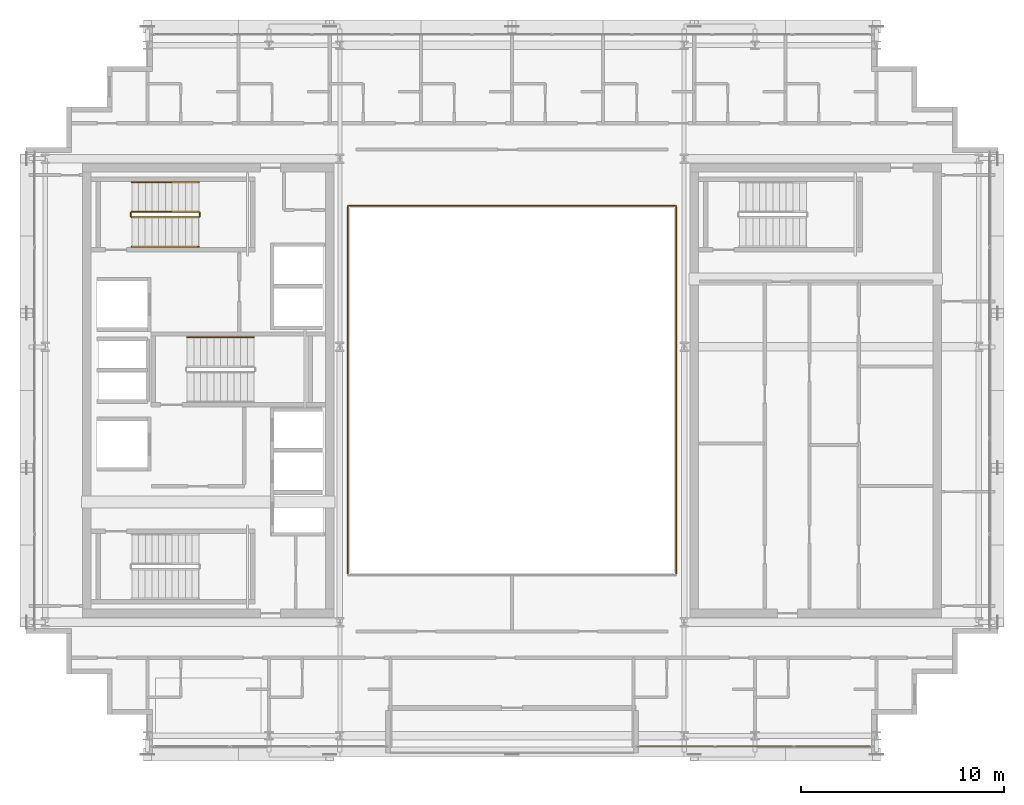
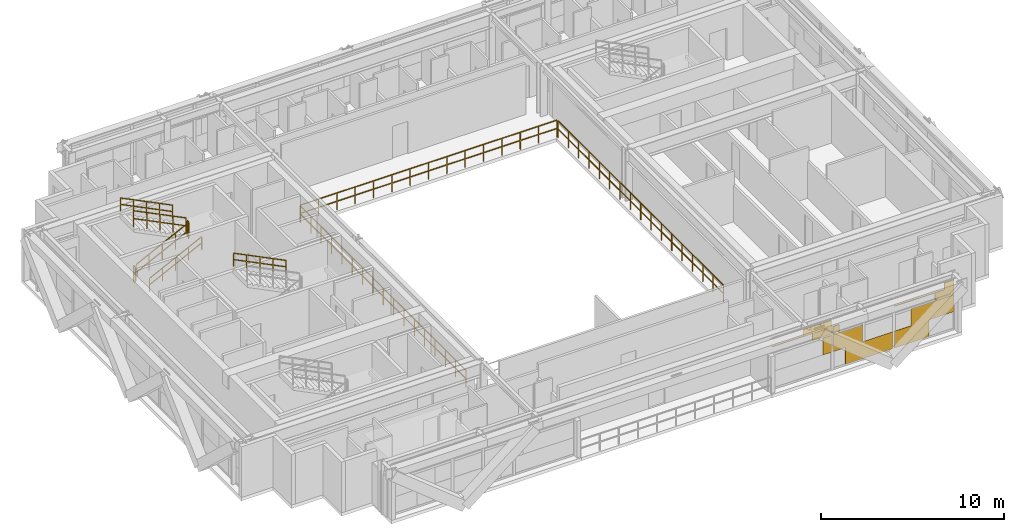
# One storey, part 26 of 28: 10 railings, 1 covering.
"""IFC4 building model written with IfcOpenShell, lengths in metres."""

import ifcopenshell
import ifcopenshell.guid

model = None  # the IFC model being written
_history = None  # IfcOwnerHistory: only IFC2X3 demands one
_inside = {}  # id of a spatial element -> (the spatial element, [elements in it])
_under = {}  # id of a project, library or spatial element -> (it, [spatial elements below it])
_declared = {}  # id of a project -> (the project, [libraries it declares])
_typed = {}  # id of a type object -> (the type object, [elements of that type])
_made_of = {}  # id of a material, layer set ... -> (it, [elements and type objects made of it])


def new_model(schema):
    """Start an empty IFC model of exactly this schema.

    Asked for "IFC4X3", IfcOpenShell would pick the latest addendum, in which some entities
    have other attributes; the version numbers below select the first issue.
    IFC2X3 requires an IfcOwnerHistory on every rooted entity: one is made here for all.
    """
    global model, _history
    if schema == "IFC4X3":
        model = ifcopenshell.file(schema_version=(4, 3, 0, 0))
    else:
        model = ifcopenshell.file(schema=schema)
    _inside.clear()
    _under.clear()
    _declared.clear()
    _typed.clear()
    _made_of.clear()
    _history = None
    if model.schema == "IFC2X3":
        org = make("IfcOrganization", Name="unknown")
        user = make(
            "IfcPersonAndOrganization",
            ThePerson=make("IfcPerson", FamilyName="unknown"),
            TheOrganization=org,
        )
        app = make(
            "IfcApplication",
            ApplicationDeveloper=org,
            Version="unknown",
            ApplicationFullName="unknown",
            ApplicationIdentifier="unknown",
        )
        _history = make(
            "IfcOwnerHistory",
            OwningUser=user,
            OwningApplication=app,
            ChangeAction="ADDED",
            CreationDate=0,
        )
    return model


def make(cls, **values):
    """One entity of the class cls with the attributes given. An attribute that is None is left unset."""
    return model.create_entity(
        cls, **{name: value for name, value in values.items() if value is not None}
    )


def rooted(cls, **values):
    """An entity with a GlobalId (a new one), such as an element, a storey or a relation."""
    return make(cls, GlobalId=ifcopenshell.guid.new(), OwnerHistory=_history, **values)


def si_unit(unit_type, name, prefix=None):
    """IfcSIUnit, for example si_unit("LENGTHUNIT", "METRE", prefix="MILLI")."""
    return make("IfcSIUnit", UnitType=unit_type, Prefix=prefix, Name=name)


def assignment(units):
    """IfcUnitAssignment: the units of a project."""
    return None if units is None else make("IfcUnitAssignment", Units=units)


def point(xyz):
    """IfcCartesianPoint."""
    return None if xyz is None else make("IfcCartesianPoint", Coordinates=xyz)


def direction(xyz):
    """IfcDirection."""
    return None if xyz is None else make("IfcDirection", DirectionRatios=xyz)


def frame(location, z_axis=None, x_axis=None):
    """IfcAxis2Placement3D, a coordinate frame: its origin and axes. An axis left out is left unset."""
    return make(
        "IfcAxis2Placement3D",
        Location=point(location),
        Axis=direction(z_axis),
        RefDirection=direction(x_axis),
    )


def frame_2d(location, x_axis=None):
    """IfcAxis2Placement2D, a coordinate frame in the plane: its origin and x axis."""
    return make(
        "IfcAxis2Placement2D", Location=point(location), RefDirection=direction(x_axis)
    )


def origin():
    """The frame at (0, 0, 0) with its axes left unset."""
    return frame((0.0, 0.0, 0.0))


def origin_2d():
    """The frame at (0, 0) in the plane with its x axis left unset."""
    return frame_2d((0.0, 0.0))


def place(relative_to, where):
    """IfcLocalPlacement: puts the frame where relative to a parent placement (None: the world)."""
    return make(
        "IfcLocalPlacement", PlacementRelTo=relative_to, RelativePlacement=where
    )


def context(
    kind, dimensions, precision=None, world=None, true_north=None, identifier=None
):
    """IfcGeometricRepresentationContext, for example the 3D "Model" context."""
    return make(
        "IfcGeometricRepresentationContext",
        ContextIdentifier=identifier,
        ContextType=kind,
        CoordinateSpaceDimension=dimensions,
        Precision=precision,
        WorldCoordinateSystem=world,
        TrueNorth=true_north,
    )


def subcontext(parent, identifier, kind, view, scale=None):
    """IfcGeometricRepresentationSubContext, for example "Body" below "Model"."""
    return make(
        "IfcGeometricRepresentationSubContext",
        ContextIdentifier=identifier,
        ContextType=kind,
        ParentContext=parent,
        TargetScale=scale,
        TargetView=view,
    )


def project(units=None, contexts=None):
    """IfcProject with its units and contexts."""
    return rooted(
        "IfcProject",
        Name="project",
        RepresentationContexts=contexts,
        UnitsInContext=assignment(units),
    )


def spatial(cls, under=None, at=None, **own):
    """A site, building, storey or space (cls), placed at a placement, below another one or the project."""
    s = rooted(cls, ObjectPlacement=at, **own)
    if under is not None:
        _under.setdefault(under.id(), (under, []))[1].append(s)
    return s


def profile(cls, at=None, kind="AREA", **sizes):
    """A parametric profile (cls). Its sizes go by their IFC names, for example OverallWidth=200.0."""
    return make(cls, ProfileType=kind, Position=at, **sizes)


def rectangle(**sizes):
    """IfcRectangleProfileDef."""
    return profile("IfcRectangleProfileDef", **sizes)


def extrude(swept, where, along, depth):
    """IfcExtrudedAreaSolid: the profile swept, set in the frame where, extruded along a direction by depth."""
    return make(
        "IfcExtrudedAreaSolid",
        SweptArea=swept,
        Position=where,
        ExtrudedDirection=direction(along),
        Depth=depth,
    )


def shape(context_of_items, identifier, shape_type, items):
    """IfcShapeRepresentation: the items that make up one representation, for example the "Body"."""
    return make(
        "IfcShapeRepresentation",
        ContextOfItems=context_of_items,
        RepresentationIdentifier=identifier,
        RepresentationType=shape_type,
        Items=items,
    )


def material(Name=None, Category=None):
    """IfcMaterial."""
    return make("IfcMaterial", Name=Name, Category=Category)


def layer(
    of_material, thickness, ventilated=None, Name=None, Category=None, Priority=None
):
    """IfcMaterialLayer: one layer of a wall or slab, of a material (None: an air gap)."""
    return make(
        "IfcMaterialLayer",
        Material=of_material,
        LayerThickness=thickness,
        IsVentilated=ventilated,
        Name=Name,
        Category=Category,
        Priority=Priority,
    )


def layer_set(layers, Name=None):
    """IfcMaterialLayerSet."""
    return make("IfcMaterialLayerSet", MaterialLayers=layers, LayerSetName=Name)


def made_of(thing, what):
    """Note that an element or type object is made of a material, layer set ...; save() writes the relation."""
    if what is not None:
        _made_of.setdefault(what.id(), (what, []))[1].append(thing)
    return thing


def type_object(cls, material=None, **own):
    """A type object (cls), such as IfcWallType, which elements share."""
    return made_of(rooted(cls, **own), material)


def element(
    cls,
    number,
    at=None,
    inside=None,
    cuts=None,
    type_object=None,
    material=None,
    context=None,
    identifier="Body",
    shape_type=None,
    held_by="IfcProductDefinitionShape",
    body=None,
    shapes=None,
    **own,
):
    """One element of the class cls, such as IfcWall. Its Tag is "e" and its number.

    at: its placement. inside: the storey or other place that contains it. cuts: it is an
    opening in that element (IfcRelVoidsElement). A single representation is given by context,
    identifier, shape_type and body (its items); several are given by shapes. held_by: the class
    of the entity that holds the representations. save() writes the other relations.
    """
    e = rooted(cls, Tag="e%d" % number, ObjectPlacement=at, **own)
    if body is not None:
        shapes = [shape(context, identifier, shape_type, body)]
    if shapes is not None:
        e.Representation = make(held_by, Representations=shapes)
    if inside is not None:
        _inside.setdefault(inside.id(), (inside, []))[1].append(e)
    if cuts is not None:
        rooted(
            "IfcRelVoidsElement", RelatingBuildingElement=cuts, RelatedOpeningElement=e
        )
    if type_object is not None:
        _typed.setdefault(type_object.id(), (type_object, []))[1].append(e)
    return made_of(e, material)


def aggregate(whole, parts):
    """IfcRelAggregates: a whole, such as a stair, and the parts it consists of."""
    return rooted("IfcRelAggregates", RelatingObject=whole, RelatedObjects=parts)


def save(model, path):
    """Write the relations noted so far, then the file.

    IfcRelAggregates (storeys below a building ...), IfcRelContainedInSpatialStructure (elements
    in a storey), IfcRelDefinesByType, IfcRelAssociatesMaterial and IfcRelDeclares: one each for
    every whole, place, type object, material and project.
    """
    for whole, parts in _under.values():
        aggregate(whole, parts)
    for where, things in _inside.values():
        rooted(
            "IfcRelContainedInSpatialStructure",
            RelatedElements=things,
            RelatingStructure=where,
        )
    for kind, things in _typed.values():
        rooted("IfcRelDefinesByType", RelatedObjects=things, RelatingType=kind)
    for what, things in _made_of.values():
        rooted("IfcRelAssociatesMaterial", RelatedObjects=things, RelatingMaterial=what)
    for by, libraries in _declared.values():
        rooted("IfcRelDeclares", RelatingContext=by, RelatedDefinitions=libraries)
    model.write(path)


model = new_model("IFC4")

# Units and contexts
model_context = context("Model", 3, precision=1e-05, world=origin(), true_north=direction((0.0, 1.0)))
body_context = subcontext(model_context, "Body", "Model", "MODEL_VIEW")
ifc_project = project(units=[si_unit("LENGTHUNIT", "METRE"), si_unit("AREAUNIT", "SQUARE_METRE"), si_unit("VOLUMEUNIT", "CUBIC_METRE"), si_unit("PLANEANGLEUNIT", "RADIAN"), si_unit("MASSUNIT", "GRAM", prefix="KILO")], contexts=[model_context])

# Site, building, storey
site_placement = place(None, origin())
site = spatial("IfcSite", under=ifc_project, at=site_placement, CompositionType="ELEMENT")
building_placement = place(site_placement, origin())
building = spatial("IfcBuilding", under=site, at=building_placement, Name="Ocotamira Hotel", CompositionType="ELEMENT")
storey_placement = place(building_placement, frame((0.0, 0.0, 240.0)))
storey = spatial("IfcBuildingStorey", under=building, at=storey_placement, Name="L60", CompositionType="ELEMENT", Elevation=240.0)

# Covering
ifc_material_1 = material(Name="Insulated pale-metal aluminium spandrel panel", Category="aluminium")
ifc_layer = layer(ifc_material_1, 0.044921875)
ifc_layer_set = layer_set([ifc_layer], Name="Insulated pale-metal aluminium spandrel panel")
covering_type = type_object("IfcCoveringType", Name="COV-INFILL-45", PredefinedType="CLADDING", material=ifc_layer_set)
covering_placement = place(storey_placement, origin())
element("IfcCovering", 1, at=covering_placement, inside=storey, type_object=covering_type, Name="L60 Curtain Wall Infill CW-5 CW-L60-S2", PredefinedType="CLADDING", context=body_context, shape_type="SweptSolid", body=[
    extrude(rectangle(XDim=0.53076171875, YDim=0.044921875, at=origin_2d()), frame((41.7275390625, 8.419921875, 1.1943359375), z_axis=(0.0, 0.0, 1.0), x_axis=(1.0, 0.0, 0.0)), (0.0, 0.0, 1.0), 1.117919921875),
    extrude(rectangle(XDim=3.76220703125, YDim=0.044921875, at=origin_2d()), frame((40.11181640625, 8.419921875, 2.8388671875), z_axis=(0.0, 0.0, 1.0), x_axis=(1.0, 0.0, 0.0)), (0.0, 0.0, 1.0), 0.032958984375),
    extrude(rectangle(XDim=1.787353515625, YDim=0.044921875, at=origin_2d()), frame((41.09912109375, 8.419921875, 2.872802734375), z_axis=(0.0, 0.0, 1.0), x_axis=(1.0, 0.0, 0.0)), (0.0, 0.0, 1.0), 0.431640625),
    extrude(rectangle(XDim=1.18798828125, YDim=0.044921875, at=origin_2d()), frame((41.398681640625, 8.419921875, 2.3876953125), z_axis=(0.0, 0.0, 1.0), x_axis=(1.0, 0.0, 0.0)), (0.0, 0.0, 1.0), 0.449951171875),
    extrude(rectangle(XDim=1.90625, YDim=0.044921875, at=origin_2d()), frame((43.027099609375, 8.419921875, 1.1943359375), z_axis=(0.0, 0.0, 1.0), x_axis=(1.0, 0.0, 0.0)), (0.0, 0.0, 1.0), 1.117919921875),
    extrude(rectangle(XDim=3.015625, YDim=0.044921875, at=origin_2d()), frame((44.368408203125, 8.419921875, 0.07568359375), z_axis=(0.0, 0.0, 1.0), x_axis=(1.0, 0.0, 0.0)), (0.0, 0.0, 1.0), 1.117919921875),
    extrude(rectangle(XDim=0.4140625, YDim=0.044921875, at=origin_2d()), frame((42.281005859375, 8.419921875, 2.387939453125), z_axis=(0.0, 0.0, 1.0), x_axis=(1.0, 0.0, 0.0)), (0.0, 0.0, 1.0), 0.48388671875),
    extrude(rectangle(XDim=2.182373046875, YDim=0.044921875, at=origin_2d()), frame((47.04833984375, 8.419921875, 0.07568359375), z_axis=(0.0, 0.0, 1.0), x_axis=(1.0, 0.0, 0.0)), (0.0, 0.0, 1.0), 1.117919921875),
    extrude(rectangle(XDim=2.69970703125, YDim=0.044921875, at=origin_2d()), frame((48.36962890625, 8.419921875, 1.1943359375), z_axis=(0.0, 0.0, 1.0), x_axis=(1.0, 0.0, 0.0)), (0.0, 0.0, 1.0), 1.117919921875),
    extrude(rectangle(XDim=3.76220703125, YDim=0.044921875, at=origin_2d()), frame((47.83837890625, 8.419921875, 2.8388671875), z_axis=(0.0, 0.0, 1.0), x_axis=(1.0, 0.0, 0.0)), (0.0, 0.0, 1.0), 0.032958984375),
    extrude(rectangle(XDim=1.20751953125, YDim=0.044921875, at=origin_2d()), frame((49.11572265625, 8.419921875, 2.3876953125), z_axis=(0.0, 0.0, 1.0), x_axis=(1.0, 0.0, 0.0)), (0.0, 0.0, 1.0), 0.449951171875),
    extrude(rectangle(XDim=0.601318359375, YDim=0.044921875, at=origin_2d()), frame((49.418701171875, 8.419921875, 2.872802734375), z_axis=(0.0, 0.0, 1.0), x_axis=(1.0, 0.0, 0.0)), (0.0, 0.0, 1.0), 0.431640625),
])

# Railings
ifc_material_2 = material(Name="Painted steel stair guardrail", Category="steel")
railing_type_1 = type_object("IfcRailingType", Name="RL-EDGE-1150", PredefinedType="GUARDRAIL", material=ifc_material_2)
railing_1_placement = place(storey_placement, frame((40.1201171875, 16.9599609375, 0.0)))
element("IfcRailing", 2, at=railing_1_placement, inside=storey, type_object=railing_type_1, Name="L60 Central Atrium Edge Guardrail E", PredefinedType="GUARDRAIL", context=body_context, shape_type="SweptSolid", body=[
    extrude(rectangle(XDim=0.048095703125, YDim=0.048095703125, at=origin_2d()), frame((0.0, 0.0, 1.1259765625), z_axis=(0.0, 1.0, 0.0), x_axis=(-1.0, 0.0, 0.0)), (0.0, 0.0, 1.0), 18.080078125),
    extrude(rectangle(XDim=0.048095703125, YDim=0.048095703125, at=origin_2d()), frame((0.0, 0.0, 0.574951171875), z_axis=(0.0, 1.0, 0.0), x_axis=(-1.0, 0.0, 0.0)), (0.0, 0.0, 1.0), 18.080078125),
    extrude(rectangle(XDim=0.0419921875, YDim=0.0419921875, at=origin_2d()), origin(), (0.0, 0.0, 1.0), 1.101806640625),
    extrude(rectangle(XDim=0.0419921875, YDim=0.0419921875, at=origin_2d()), frame((0.0, 1.1298828125, 0.0)), (0.0, 0.0, 1.0), 1.101806640625),
    extrude(rectangle(XDim=0.0419921875, YDim=0.0419921875, at=origin_2d()), frame((0.0, 2.260009765625, 0.0)), (0.0, 0.0, 1.0), 1.101806640625),
    extrude(rectangle(XDim=0.0419921875, YDim=0.0419921875, at=origin_2d()), frame((0.0, 3.39013671875, 0.0)), (0.0, 0.0, 1.0), 1.101806640625),
    extrude(rectangle(XDim=0.0419921875, YDim=0.0419921875, at=origin_2d()), frame((0.0, 4.52001953125, 0.0)), (0.0, 0.0, 1.0), 1.101806640625),
    extrude(rectangle(XDim=0.0419921875, YDim=0.0419921875, at=origin_2d()), frame((0.0, 5.64990234375, 0.0)), (0.0, 0.0, 1.0), 1.101806640625),
    extrude(rectangle(XDim=0.0419921875, YDim=0.0419921875, at=origin_2d()), frame((0.0, 6.780029296875, 0.0)), (0.0, 0.0, 1.0), 1.101806640625),
    extrude(rectangle(XDim=0.0419921875, YDim=0.0419921875, at=origin_2d()), frame((0.0, 7.91015625, 0.0)), (0.0, 0.0, 1.0), 1.101806640625),
    extrude(rectangle(XDim=0.0419921875, YDim=0.0419921875, at=origin_2d()), frame((0.0, 9.0400390625, 0.0)), (0.0, 0.0, 1.0), 1.101806640625),
    extrude(rectangle(XDim=0.0419921875, YDim=0.0419921875, at=origin_2d()), frame((0.0, 10.169921875, 0.0)), (0.0, 0.0, 1.0), 1.101806640625),
    extrude(rectangle(XDim=0.0419921875, YDim=0.0419921875, at=origin_2d()), frame((0.0, 11.300048828125, 0.0)), (0.0, 0.0, 1.0), 1.101806640625),
    extrude(rectangle(XDim=0.0419921875, YDim=0.0419921875, at=origin_2d()), frame((0.0, 12.43017578125, 0.0)), (0.0, 0.0, 1.0), 1.101806640625),
    extrude(rectangle(XDim=0.0419921875, YDim=0.0419921875, at=origin_2d()), frame((0.0, 13.56005859375, 0.0)), (0.0, 0.0, 1.0), 1.101806640625),
    extrude(rectangle(XDim=0.0419921875, YDim=0.0419921875, at=origin_2d()), frame((0.0, 14.68994140625, 0.0)), (0.0, 0.0, 1.0), 1.101806640625),
    extrude(rectangle(XDim=0.0419921875, YDim=0.0419921875, at=origin_2d()), frame((0.0, 15.820068359375, 0.0)), (0.0, 0.0, 1.0), 1.101806640625),
    extrude(rectangle(XDim=0.0419921875, YDim=0.0419921875, at=origin_2d()), frame((0.0, 16.9501953125, 0.0)), (0.0, 0.0, 1.0), 1.101806640625),
    extrude(rectangle(XDim=0.0419921875, YDim=0.0419921875, at=origin_2d()), frame((0.0, 18.080078125, 0.0)), (0.0, 0.0, 1.0), 1.101806640625),
])
railing_2_placement = place(storey_placement, frame((40.10009765625, 35.1201171875, 0.0)))
element("IfcRailing", 3, at=railing_2_placement, inside=storey, type_object=railing_type_1, Name="L60 Central Atrium Edge Guardrail N", PredefinedType="GUARDRAIL", context=body_context, shape_type="SweptSolid", body=[
    extrude(rectangle(XDim=0.048095703125, YDim=0.048095703125, at=origin_2d()), frame((0.0, 0.0, 1.1259765625), z_axis=(-1.0, 0.0, 0.0), x_axis=(0.0, -1.0, 0.0)), (0.0, 0.0, 1.0), 16.2001953125),
    extrude(rectangle(XDim=0.048095703125, YDim=0.048095703125, at=origin_2d()), frame((0.0, 0.0, 0.574951171875), z_axis=(-1.0, 0.0, 0.0), x_axis=(0.0, -1.0, 0.0)), (0.0, 0.0, 1.0), 16.2001953125),
    extrude(rectangle(XDim=0.0419921875, YDim=0.0419921875, at=origin_2d()), origin(), (0.0, 0.0, 1.0), 1.101806640625),
    extrude(rectangle(XDim=0.0419921875, YDim=0.0419921875, at=origin_2d()), frame((-1.1572265625, 0.0, 0.0)), (0.0, 0.0, 1.0), 1.101806640625),
    extrude(rectangle(XDim=0.0419921875, YDim=0.0419921875, at=origin_2d()), frame((-2.314208984375, 0.0, 0.0)), (0.0, 0.0, 1.0), 1.101806640625),
    extrude(rectangle(XDim=0.0419921875, YDim=0.0419921875, at=origin_2d()), frame((-3.471435546875, 0.0, 0.0)), (0.0, 0.0, 1.0), 1.101806640625),
    extrude(rectangle(XDim=0.0419921875, YDim=0.0419921875, at=origin_2d()), frame((-4.628662109375, 0.0, 0.0)), (0.0, 0.0, 1.0), 1.101806640625),
    extrude(rectangle(XDim=0.0419921875, YDim=0.0419921875, at=origin_2d()), frame((-5.785888671875, 0.0, 0.0)), (0.0, 0.0, 1.0), 1.101806640625),
    extrude(rectangle(XDim=0.0419921875, YDim=0.0419921875, at=origin_2d()), frame((-6.94287109375, 0.0, 0.0)), (0.0, 0.0, 1.0), 1.101806640625),
    extrude(rectangle(XDim=0.0419921875, YDim=0.0419921875, at=origin_2d()), frame((-8.10009765625, 0.0, 0.0)), (0.0, 0.0, 1.0), 1.101806640625),
    extrude(rectangle(XDim=0.0419921875, YDim=0.0419921875, at=origin_2d()), frame((-9.25732421875, 0.0, 0.0)), (0.0, 0.0, 1.0), 1.101806640625),
    extrude(rectangle(XDim=0.0419921875, YDim=0.0419921875, at=origin_2d()), frame((-10.414306640625, 0.0, 0.0)), (0.0, 0.0, 1.0), 1.101806640625),
    extrude(rectangle(XDim=0.0419921875, YDim=0.0419921875, at=origin_2d()), frame((-11.571533203125, 0.0, 0.0)), (0.0, 0.0, 1.0), 1.101806640625),
    extrude(rectangle(XDim=0.0419921875, YDim=0.0419921875, at=origin_2d()), frame((-12.728759765625, 0.0, 0.0)), (0.0, 0.0, 1.0), 1.101806640625),
    extrude(rectangle(XDim=0.0419921875, YDim=0.0419921875, at=origin_2d()), frame((-13.885986328125, 0.0, 0.0)), (0.0, 0.0, 1.0), 1.101806640625),
    extrude(rectangle(XDim=0.0419921875, YDim=0.0419921875, at=origin_2d()), frame((-15.04296875, 0.0, 0.0)), (0.0, 0.0, 1.0), 1.101806640625),
    extrude(rectangle(XDim=0.0419921875, YDim=0.0419921875, at=origin_2d()), frame((-16.2001953125, 0.0, 0.0)), (0.0, 0.0, 1.0), 1.101806640625),
])
railing_3_placement = place(storey_placement, frame((23.8798828125, 35.0400390625, 0.0)))
element("IfcRailing", 4, at=railing_3_placement, inside=storey, type_object=railing_type_1, Name="L60 Central Atrium Edge Guardrail W", PredefinedType="GUARDRAIL", context=body_context, shape_type="SweptSolid", body=[
    extrude(rectangle(XDim=0.048095703125, YDim=0.048095703125, at=origin_2d()), frame((0.0, 0.0, 1.1259765625), z_axis=(0.0, -1.0, 0.0), x_axis=(1.0, 0.0, 0.0)), (0.0, 0.0, 1.0), 18.080078125),
    extrude(rectangle(XDim=0.048095703125, YDim=0.048095703125, at=origin_2d()), frame((0.0, 0.0, 0.574951171875), z_axis=(0.0, -1.0, 0.0), x_axis=(1.0, 0.0, 0.0)), (0.0, 0.0, 1.0), 18.080078125),
    extrude(rectangle(XDim=0.0419921875, YDim=0.0419921875, at=origin_2d()), origin(), (0.0, 0.0, 1.0), 1.101806640625),
    extrude(rectangle(XDim=0.0419921875, YDim=0.0419921875, at=origin_2d()), frame((0.0, -1.1298828125, 0.0)), (0.0, 0.0, 1.0), 1.101806640625),
    extrude(rectangle(XDim=0.0419921875, YDim=0.0419921875, at=origin_2d()), frame((0.0, -2.260009765625, 0.0)), (0.0, 0.0, 1.0), 1.101806640625),
    extrude(rectangle(XDim=0.0419921875, YDim=0.0419921875, at=origin_2d()), frame((0.0, -3.39013671875, 0.0)), (0.0, 0.0, 1.0), 1.101806640625),
    extrude(rectangle(XDim=0.0419921875, YDim=0.0419921875, at=origin_2d()), frame((0.0, -4.52001953125, 0.0)), (0.0, 0.0, 1.0), 1.101806640625),
    extrude(rectangle(XDim=0.0419921875, YDim=0.0419921875, at=origin_2d()), frame((0.0, -5.64990234375, 0.0)), (0.0, 0.0, 1.0), 1.101806640625),
    extrude(rectangle(XDim=0.0419921875, YDim=0.0419921875, at=origin_2d()), frame((0.0, -6.780029296875, 0.0)), (0.0, 0.0, 1.0), 1.101806640625),
    extrude(rectangle(XDim=0.0419921875, YDim=0.0419921875, at=origin_2d()), frame((0.0, -7.91015625, 0.0)), (0.0, 0.0, 1.0), 1.101806640625),
    extrude(rectangle(XDim=0.0419921875, YDim=0.0419921875, at=origin_2d()), frame((0.0, -9.0400390625, 0.0)), (0.0, 0.0, 1.0), 1.101806640625),
    extrude(rectangle(XDim=0.0419921875, YDim=0.0419921875, at=origin_2d()), frame((0.0, -10.169921875, 0.0)), (0.0, 0.0, 1.0), 1.101806640625),
    extrude(rectangle(XDim=0.0419921875, YDim=0.0419921875, at=origin_2d()), frame((0.0, -11.300048828125, 0.0)), (0.0, 0.0, 1.0), 1.101806640625),
    extrude(rectangle(XDim=0.0419921875, YDim=0.0419921875, at=origin_2d()), frame((0.0, -12.43017578125, 0.0)), (0.0, 0.0, 1.0), 1.101806640625),
    extrude(rectangle(XDim=0.0419921875, YDim=0.0419921875, at=origin_2d()), frame((0.0, -13.56005859375, 0.0)), (0.0, 0.0, 1.0), 1.101806640625),
    extrude(rectangle(XDim=0.0419921875, YDim=0.0419921875, at=origin_2d()), frame((0.0, -14.68994140625, 0.0)), (0.0, 0.0, 1.0), 1.101806640625),
    extrude(rectangle(XDim=0.0419921875, YDim=0.0419921875, at=origin_2d()), frame((0.0, -15.820068359375, 0.0)), (0.0, 0.0, 1.0), 1.101806640625),
    extrude(rectangle(XDim=0.0419921875, YDim=0.0419921875, at=origin_2d()), frame((0.0, -16.9501953125, 0.0)), (0.0, 0.0, 1.0), 1.101806640625),
    extrude(rectangle(XDim=0.0419921875, YDim=0.0419921875, at=origin_2d()), frame((0.0, -18.080078125, 0.0)), (0.0, 0.0, 1.0), 1.101806640625),
])
ifc_material_3 = material(Name="Brushed stainless steel handrail", Category="steel")
railing_type_2 = type_object("IfcRailingType", Name="RL-HAND-900", PredefinedType="HANDRAIL", material=ifc_material_3)
railing_4_placement = place(storey_placement, frame((13.22998046875, 33.10009765625, 0.327392578125)))
element("IfcRailing", 5, at=railing_4_placement, inside=storey, type_object=railing_type_2, Name="L60 ST-2 stair handrail 1", PredefinedType="HANDRAIL", context=body_context, shape_type="SweptSolid", body=[
    extrude(rectangle(XDim=0.048095703125, YDim=0.048095703125, at=origin_2d()), frame((0.0, 0.0, 0.8759765625), z_axis=(0.895920123917, 0.0, 0.444215186098), x_axis=(0.0, 1.0, 0.0)), (0.0, 0.0, 1.0), 3.683349609375),
    extrude(rectangle(XDim=0.048095703125, YDim=0.048095703125, at=origin_2d()), frame((0.0, 0.0, 0.449951171875), z_axis=(0.895920123917, 0.0, 0.444215186098), x_axis=(0.0, 1.0, 0.0)), (0.0, 0.0, 1.0), 3.683349609375),
    extrude(rectangle(XDim=0.0419921875, YDim=0.0419921875, at=origin_2d()), origin(), (0.0, 0.0, 1.0), 0.851806640625),
    extrude(rectangle(XDim=0.0419921875, YDim=0.0419921875, at=origin_2d()), frame((0.824951171875, 0.0, 0.4091796875)), (0.0, 0.0, 1.0), 0.851806640625),
    extrude(rectangle(XDim=0.0419921875, YDim=0.0419921875, at=origin_2d()), frame((1.64990234375, 0.0, 0.818115234375)), (0.0, 0.0, 1.0), 0.851806640625),
    extrude(rectangle(XDim=0.0419921875, YDim=0.0419921875, at=origin_2d()), frame((2.47509765625, 0.0, 1.22705078125)), (0.0, 0.0, 1.0), 0.851806640625),
    extrude(rectangle(XDim=0.0419921875, YDim=0.0419921875, at=origin_2d()), frame((3.300048828125, 0.0, 1.63623046875)), (0.0, 0.0, 1.0), 0.851806640625),
])
for number, where, name in (
    (6, (16.530029296875, 36.280029296875, 2.127197265625), "L60 ST-2 stair handrail 2"),
    (7, (19.260009765625, 28.6298828125, 2.127197265625), "L60 ST-3 stair handrail 2"),
):
    element("IfcRailing", number, at=place(storey_placement, frame(where)), inside=storey, type_object=railing_type_2, Name=name, PredefinedType="HANDRAIL", context=body_context, shape_type="SweptSolid", body=[
        extrude(rectangle(XDim=0.048095703125, YDim=0.048095703125, at=origin_2d()), frame((0.0, 0.0, 0.8759765625), z_axis=(-0.895893744519, 0.0, 0.4442683857), x_axis=(0.0, -1.0, 0.0)), (0.0, 0.0, 1.0), 3.68359375),
        extrude(rectangle(XDim=0.048095703125, YDim=0.048095703125, at=origin_2d()), frame((0.0, 0.0, 0.449951171875), z_axis=(-0.895893744519, 0.0, 0.4442683857), x_axis=(0.0, -1.0, 0.0)), (0.0, 0.0, 1.0), 3.68359375),
        extrude(rectangle(XDim=0.0419921875, YDim=0.0419921875, at=origin_2d()), origin(), (0.0, 0.0, 1.0), 0.851806640625),
        extrude(rectangle(XDim=0.0419921875, YDim=0.0419921875, at=origin_2d()), frame((-0.824951171875, 0.0, 0.4091796875)), (0.0, 0.0, 1.0), 0.851806640625),
        extrude(rectangle(XDim=0.0419921875, YDim=0.0419921875, at=origin_2d()), frame((-1.64990234375, 0.0, 0.818359375)), (0.0, 0.0, 1.0), 0.851806640625),
        extrude(rectangle(XDim=0.0419921875, YDim=0.0419921875, at=origin_2d()), frame((-2.47509765625, 0.0, 1.227294921875)), (0.0, 0.0, 1.0), 0.851806640625),
        extrude(rectangle(XDim=0.0419921875, YDim=0.0419921875, at=origin_2d()), frame((-3.300048828125, 0.0, 1.636474609375)), (0.0, 0.0, 1.0), 0.851806640625),
    ])
railing_type_3 = type_object("IfcRailingType", Name="RL-STAIR-1100", PredefinedType="GUARDRAIL", material=ifc_material_2)
railing_5_placement = place(storey_placement, frame((13.22998046875, 34.56005859375, 0.16357421875)))
element("IfcRailing", 8, at=railing_5_placement, inside=storey, type_object=railing_type_3, Name="L60 ST-2 stair guard 1", PredefinedType="GUARDRAIL", context=body_context, shape_type="SweptSolid", body=[
    extrude(rectangle(XDim=0.048095703125, YDim=0.048095703125, at=origin_2d()), frame((0.0, 0.0, 1.076171875), z_axis=(0.895893744519, 0.0, 0.4442683857), x_axis=(0.0, 1.0, 0.0)), (0.0, 0.0, 1.0), 3.68359375),
    extrude(rectangle(XDim=0.048095703125, YDim=0.048095703125, at=origin_2d()), frame((0.0, 0.0, 0.550048828125), z_axis=(0.895893744519, 0.0, 0.4442683857), x_axis=(0.0, 1.0, 0.0)), (0.0, 0.0, 1.0), 3.68359375),
    extrude(rectangle(XDim=0.0419921875, YDim=0.0419921875, at=origin_2d()), origin(), (0.0, 0.0, 1.0), 1.052001953125),
    extrude(rectangle(XDim=0.0419921875, YDim=0.0419921875, at=origin_2d()), frame((0.824951171875, 0.0, 0.4091796875)), (0.0, 0.0, 1.0), 1.052001953125),
    extrude(rectangle(XDim=0.0419921875, YDim=0.0419921875, at=origin_2d()), frame((1.64990234375, 0.0, 0.818359375)), (0.0, 0.0, 1.0), 1.052001953125),
    extrude(rectangle(XDim=0.0419921875, YDim=0.0419921875, at=origin_2d()), frame((2.47509765625, 0.0, 1.227294921875)), (0.0, 0.0, 1.0), 1.052001953125),
    extrude(rectangle(XDim=0.0419921875, YDim=0.0419921875, at=origin_2d()), frame((3.300048828125, 0.0, 1.636474609375)), (0.0, 0.0, 1.0), 1.052001953125),
])
railing_6_placement = place(storey_placement, frame((16.580078125, 34.610107421875, 1.800048828125)))
element("IfcRailing", 9, at=railing_6_placement, inside=storey, type_object=railing_type_3, Name="L60 ST-2 stair guard 2", PredefinedType="GUARDRAIL", context=body_context, shape_type="SweptSolid", body=[
    extrude(rectangle(XDim=0.048095703125, YDim=0.048095703125, at=origin_2d()), frame((0.0, 0.0, 1.076171875), z_axis=(0.0, 1.0, 0.0), x_axis=(-1.0, 0.0, 0.0)), (0.0, 0.0, 1.0), 0.159912109375),
    extrude(rectangle(XDim=0.048095703125, YDim=0.048095703125, at=origin_2d()), frame((0.0, 0.0, 0.550048828125), z_axis=(0.0, 1.0, 0.0), x_axis=(-1.0, 0.0, 0.0)), (0.0, 0.0, 1.0), 0.159912109375),
    extrude(rectangle(XDim=0.0419921875, YDim=0.0419921875, at=origin_2d()), origin(), (0.0, 0.0, 1.0), 1.052001953125),
    extrude(rectangle(XDim=0.0419921875, YDim=0.0419921875, at=origin_2d()), frame((0.0, 0.159912109375, 0.0)), (0.0, 0.0, 1.0), 1.052001953125),
])
railing_7_placement = place(storey_placement, frame((16.530029296875, 34.820068359375, 1.963623046875)))
element("IfcRailing", 10, at=railing_7_placement, inside=storey, type_object=railing_type_3, Name="L60 ST-2 stair guard 3", PredefinedType="GUARDRAIL", context=body_context, shape_type="SweptSolid", body=[
    extrude(rectangle(XDim=0.048095703125, YDim=0.048095703125, at=origin_2d()), frame((0.0, 0.0, 1.076171875), z_axis=(-0.895893744519, 0.0, 0.4442683857), x_axis=(0.0, -1.0, 0.0)), (0.0, 0.0, 1.0), 3.68359375),
    extrude(rectangle(XDim=0.048095703125, YDim=0.048095703125, at=origin_2d()), frame((0.0, 0.0, 0.550048828125), z_axis=(-0.895893744519, 0.0, 0.4442683857), x_axis=(0.0, -1.0, 0.0)), (0.0, 0.0, 1.0), 3.68359375),
    extrude(rectangle(XDim=0.0419921875, YDim=0.0419921875, at=origin_2d()), origin(), (0.0, 0.0, 1.0), 1.052001953125),
    extrude(rectangle(XDim=0.0419921875, YDim=0.0419921875, at=origin_2d()), frame((-0.824951171875, 0.0, 0.4091796875)), (0.0, 0.0, 1.0), 1.052001953125),
    extrude(rectangle(XDim=0.0419921875, YDim=0.0419921875, at=origin_2d()), frame((-1.64990234375, 0.0, 0.818359375)), (0.0, 0.0, 1.0), 1.052001953125),
    extrude(rectangle(XDim=0.0419921875, YDim=0.0419921875, at=origin_2d()), frame((-2.47509765625, 0.0, 1.227294921875)), (0.0, 0.0, 1.0), 1.052001953125),
    extrude(rectangle(XDim=0.0419921875, YDim=0.0419921875, at=origin_2d()), frame((-3.300048828125, 0.0, 1.636474609375)), (0.0, 0.0, 1.0), 1.052001953125),
])
railing_8_placement = place(storey_placement, frame((13.179931640625, 34.610107421875, 0.0)))
element("IfcRailing", 11, at=railing_8_placement, inside=storey, type_object=railing_type_3, Name="L60 ST-2 stair guard 4", PredefinedType="GUARDRAIL", context=body_context, shape_type="SweptSolid", body=[
    extrude(rectangle(XDim=0.048095703125, YDim=0.048095703125, at=origin_2d()), frame((0.0, 0.0, 1.076171875), z_axis=(0.0, 1.0, 0.0), x_axis=(-1.0, 0.0, 0.0)), (0.0, 0.0, 1.0), 0.159912109375),
    extrude(rectangle(XDim=0.048095703125, YDim=0.048095703125, at=origin_2d()), frame((0.0, 0.0, 0.550048828125), z_axis=(0.0, 1.0, 0.0), x_axis=(-1.0, 0.0, 0.0)), (0.0, 0.0, 1.0), 0.159912109375),
    extrude(rectangle(XDim=0.0419921875, YDim=0.0419921875, at=origin_2d()), origin(), (0.0, 0.0, 1.0), 1.052001953125),
    extrude(rectangle(XDim=0.0419921875, YDim=0.0419921875, at=origin_2d()), frame((0.0, 0.159912109375, 0.0)), (0.0, 0.0, 1.0), 1.052001953125),
])

save(model, "model.ifc")
